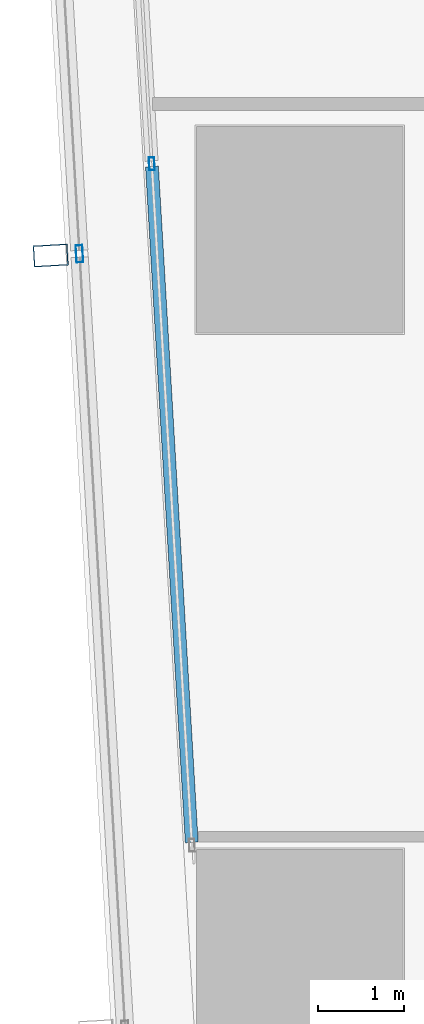
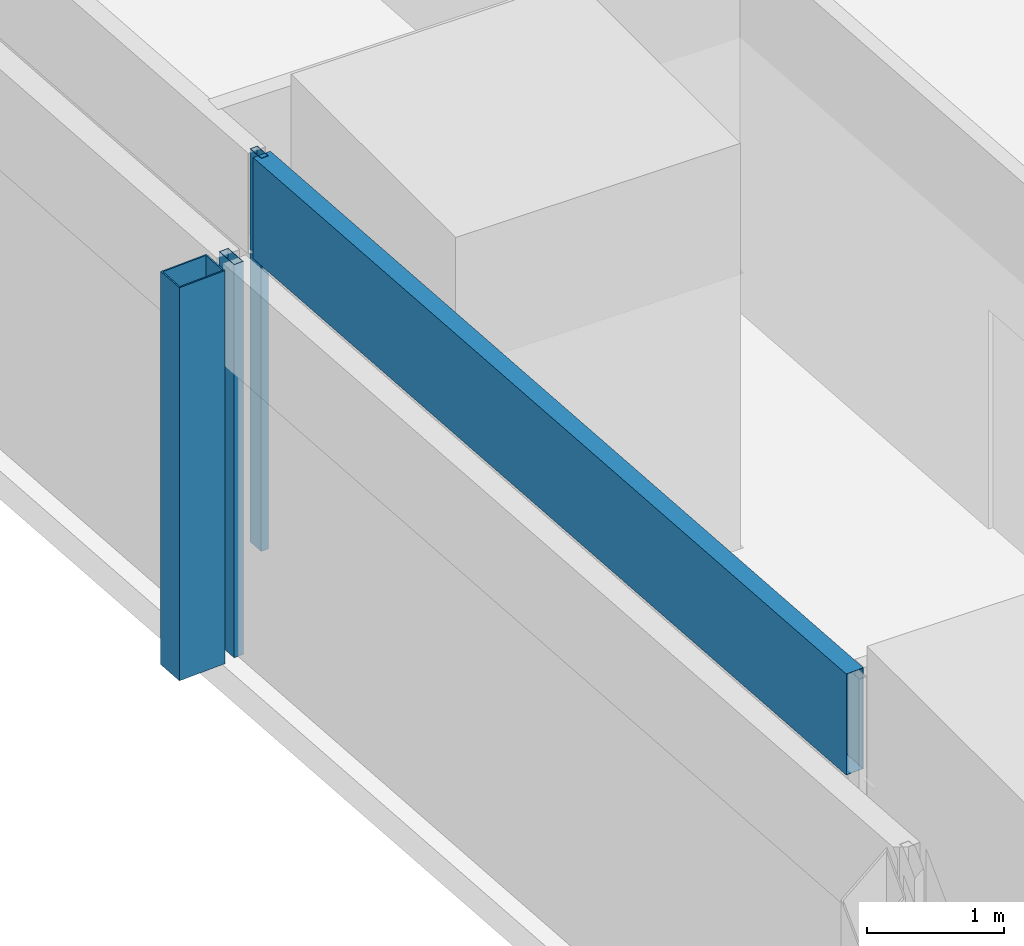
# One storey, part 6 of 37: 4 members, 2 elements without a shape of their own.
"""IFC4 building model written with IfcOpenShell, lengths in metres."""

from ifc_helpers import new_model, si_unit, direction, frame, origin, origin_2d, place, context, subcontext, project, spatial, hollow_rectangle, extrude, material, material_profile, profile_set, type_object, element, aggregate, save


model = new_model("IFC4")

# Units and contexts
model_context = context("Model", 3, precision=1e-05, world=origin(), true_north=direction((0.0, 1.0)))
body_context = subcontext(model_context, "Body", "Model", "MODEL_VIEW")
ifc_project = project(units=[si_unit("LENGTHUNIT", "METRE"), si_unit("AREAUNIT", "SQUARE_METRE"), si_unit("VOLUMEUNIT", "CUBIC_METRE"), si_unit("PLANEANGLEUNIT", "RADIAN"), si_unit("MASSUNIT", "GRAM", prefix="KILO")], contexts=[model_context])

# Site, building, storey
site_placement = place(None, origin())
site = spatial("IfcSite", under=ifc_project, at=site_placement, CompositionType="ELEMENT")
building_placement = place(site_placement, origin())
building = spatial("IfcBuilding", under=site, at=building_placement, Name="Rekha Terrace Tower", CompositionType="ELEMENT")
storey_placement = place(building_placement, frame((0.0, 0.0, 228.949951171875)))
storey = spatial("IfcBuildingStorey", under=building, at=storey_placement, Name="L58", CompositionType="ELEMENT", Elevation=228.949951171875)

# Curtain wall, member
ifc_material_1 = material(Name="Aluminium framing", Category="aluminium")
curtain_wall_type_1 = type_object("IfcCurtainWallType", Name="CW2 double skin outer glazing", PredefinedType="USERDEFINED", material=ifc_material_1)
curtain_wall_1_placement = place(storey_placement, origin())
curtain_wall_1 = element("IfcCurtainWall", 1, at=curtain_wall_1_placement, inside=storey, type_object=curtain_wall_type_1, Name="CW2 double skin outer glazing", ObjectType="DOUBLE SKIN OUTER GLAZING", PredefinedType="USERDEFINED")
ifc_material_2 = material(Name="Steel S355 with fluorocarbon finish", Category="steel")
ifc_material_profile_1 = material_profile(ifc_material_2, hollow_rectangle(XDim=0.25, YDim=0.39990234375, WallThickness=0.012451171875, at=origin_2d()), Name="RHS400x250x12.5")
ifc_profile_set_1 = profile_set([ifc_material_profile_1], Name="Steel S355 with fluorocarbon finish")
member_type_1 = type_object("IfcMemberType", Name="BL1 facade blade RHS 400 x 250", PredefinedType="USERDEFINED", material=ifc_profile_set_1)
member_1_placement = place(storey_placement, frame((5.50634765625, 33.300048828125, 0.0), z_axis=(0.0, 0.0, 1.0), x_axis=(0.058764522885, -0.998271872212, 0.0)))
member_1 = element("IfcMember", 2, at=member_1_placement, type_object=member_type_1, Name="Facade blade", ObjectType="FACADE BLADE", PredefinedType="USERDEFINED", context=body_context, shape_type="SweptSolid", body=[
    extrude(hollow_rectangle(XDim=0.25, YDim=0.39990234375, WallThickness=0.012451171875, at=origin_2d()), origin(), (0.0, 0.0, 1.0), 3.5),
])

# Curtain wall, members
curtain_wall_type_2 = type_object("IfcCurtainWallType", Name="CW1 double skin inner glazing", PredefinedType="USERDEFINED", material=ifc_material_1)
curtain_wall_2_placement = place(storey_placement, origin())
curtain_wall_2 = element("IfcCurtainWall", 3, at=curtain_wall_2_placement, inside=storey, type_object=curtain_wall_type_2, Name="CW1 double skin inner glazing", ObjectType="DOUBLE SKIN INNER GLAZING", PredefinedType="USERDEFINED")
ifc_material_3 = material(Name="Aluminium mullion section", Category="aluminium")
ifc_material_profile_2 = material_profile(ifc_material_3, hollow_rectangle(XDim=0.06494140625, YDim=0.14990234375, WallThickness=0.00390625, at=origin_2d()), Name="AL RHS 65x150")
ifc_profile_set_2 = profile_set([ifc_material_profile_2], Name="Aluminium mullion section")
member_type_2 = type_object("IfcMemberType", Name="CW1 mullion RHS 65 x 150", PredefinedType="MULLION", material=ifc_profile_set_2)
member_2_placement = place(storey_placement, frame((6.6806640625, 34.36572265625, 0.0), z_axis=(0.0, 0.0, 1.0), x_axis=(0.998271839267, 0.058765082551, 0.0)))
member_2 = element("IfcMember", 4, at=member_2_placement, type_object=member_type_2, Name="CW1 mullion 2", PredefinedType="MULLION", context=body_context, shape_type="SweptSolid", body=[
    extrude(hollow_rectangle(XDim=0.06494140625, YDim=0.14990234375, WallThickness=0.00390625, at=origin_2d()), origin(), (0.0, 0.0, 1.0), 3.5),
])
ifc_material_4 = material(Name="Insulated aluminium spandrel box", Category="aluminium")
ifc_material_profile_3 = material_profile(ifc_material_4, hollow_rectangle(XDim=0.14990234375, YDim=0.89990234375, WallThickness=0.0029296875, at=origin_2d()), Name="AL SPANDREL BOX 150x900")
ifc_profile_set_3 = profile_set([ifc_material_profile_3], Name="Insulated aluminium spandrel box")
member_type_3 = type_object("IfcMemberType", Name="CW1 spandrel transom 150 x 900", PredefinedType="USERDEFINED", material=ifc_profile_set_3)
member_3_placement = place(storey_placement, frame((6.6826171875, 34.333251953125, 3.050048828125), z_axis=(0.058762055073, -0.99827201748, 0.0), x_axis=(0.99827201748, 0.058762055073, 0.0)))
member_3 = element("IfcMember", 5, at=member_3_placement, type_object=member_type_3, Name="CW1 spandrel transom 2", ObjectType="TRANSOM", PredefinedType="USERDEFINED", context=body_context, shape_type="SweptSolid", body=[
    extrude(hollow_rectangle(XDim=0.14990234375, YDim=0.89990234375, WallThickness=0.0029296875, at=origin_2d()), origin(), (0.0, 0.0, 1.0), 7.864990234375),
])
aggregate(curtain_wall_2, [member_2, member_3])

# Member
ifc_material_profile_4 = material_profile(ifc_material_3, hollow_rectangle(XDim=0.080078125, YDim=0.199951171875, WallThickness=0.00390625, at=origin_2d()), Name="AL RHS 80x200")
ifc_profile_set_4 = profile_set([ifc_material_profile_4], Name="Aluminium mullion section")
member_type_4 = type_object("IfcMemberType", Name="CW2 mullion RHS 80 x 200", PredefinedType="MULLION", material=ifc_profile_set_4)
member_4_placement = place(storey_placement, frame((5.840576171875, 33.31982421875, 0.0), z_axis=(0.0, 0.0, 1.0), x_axis=(0.99827183927, 0.058765082499, 0.0)))
member_4 = element("IfcMember", 6, at=member_4_placement, type_object=member_type_4, Name="CW2 mullion 2", PredefinedType="MULLION", context=body_context, shape_type="SweptSolid", body=[
    extrude(hollow_rectangle(XDim=0.080078125, YDim=0.199951171875, WallThickness=0.00390625, at=origin_2d()), origin(), (0.0, 0.0, 1.0), 3.5),
])

aggregate(curtain_wall_1, [member_4, member_1])

save(model, "model.ifc")
